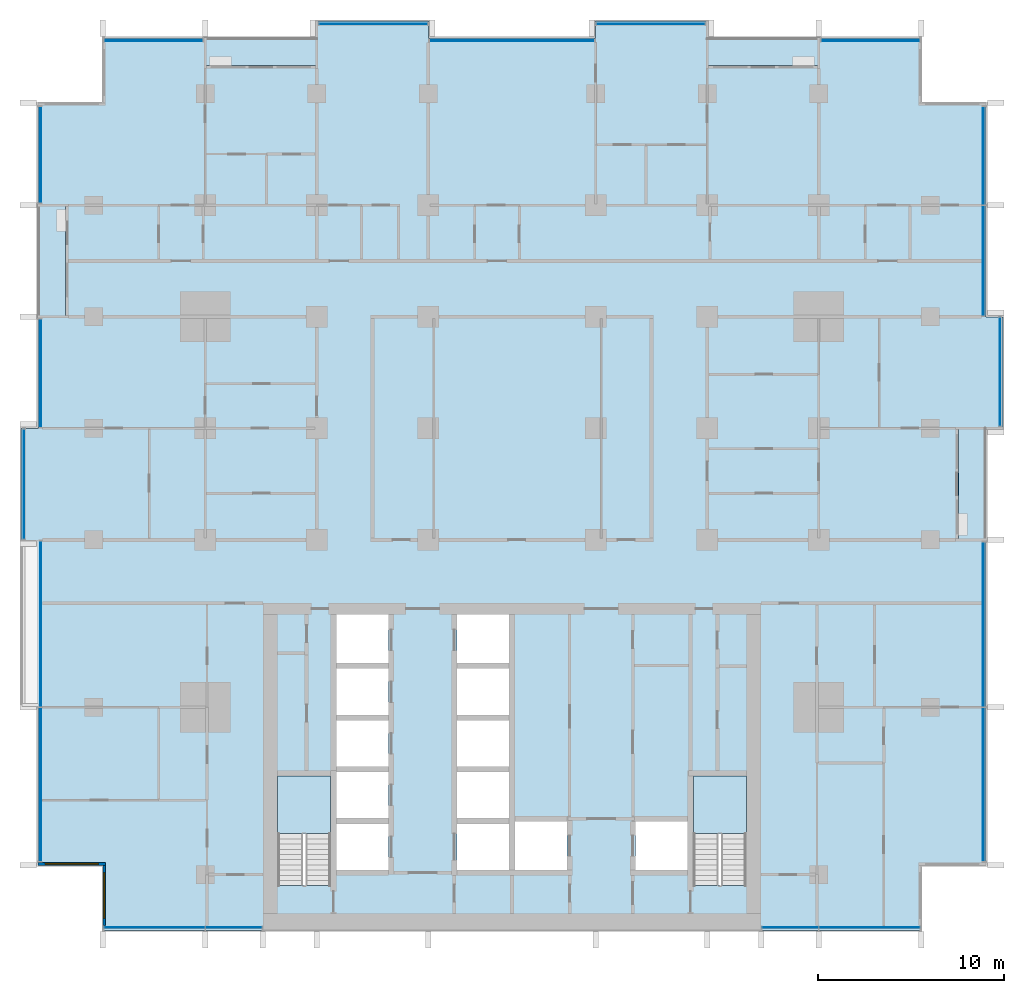
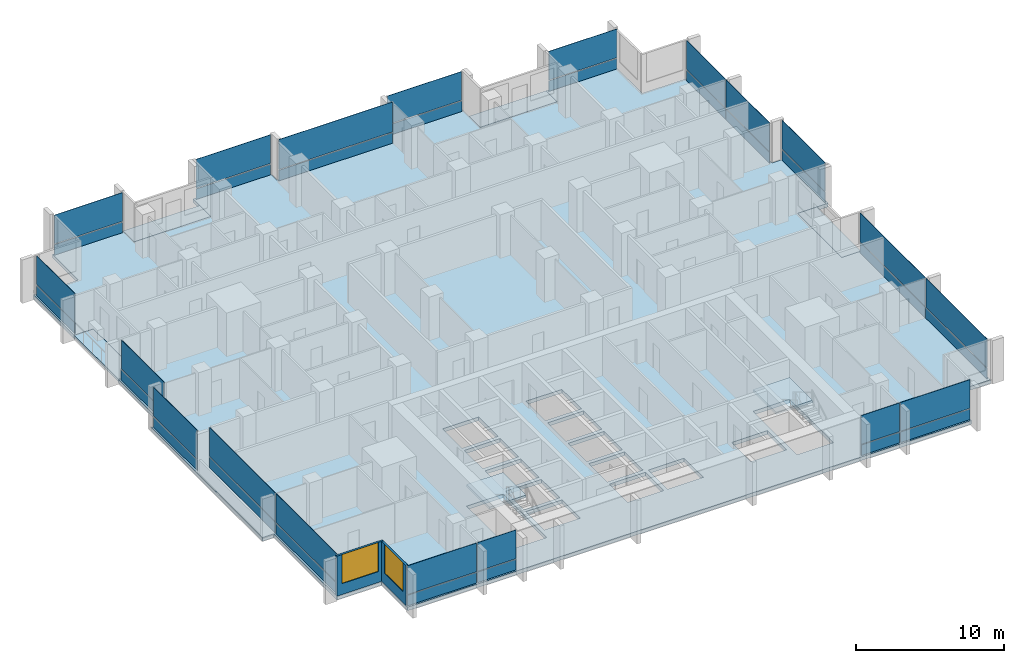
# One storey, part 6 of 18: 38 plates, 7 slabs, 2 walls, 2 windows, 2 openings, 16 elements without a shape of their own.
"""IFC4 building model written with IfcOpenShell, lengths in metres."""

from ifc_helpers import new_model, si_unit, direction, frame, frame_2d, origin, origin_2d, place, context, subcontext, project, spatial, polyline, rectangle, outline, extrude, material, layer, layer_set, type_object, element, fill, aggregate, save


model = new_model("IFC4")

# Units and contexts
model_context = context("Model", 3, precision=1e-05, world=origin(), true_north=direction((0.0, 1.0)))
body_context = subcontext(model_context, "Body", "Model", "MODEL_VIEW")
ifc_project = project(units=[si_unit("LENGTHUNIT", "METRE"), si_unit("AREAUNIT", "SQUARE_METRE"), si_unit("VOLUMEUNIT", "CUBIC_METRE"), si_unit("PLANEANGLEUNIT", "RADIAN"), si_unit("MASSUNIT", "GRAM", prefix="KILO")], contexts=[model_context])

# Site, building, storey
site_placement = place(None, origin())
site = spatial("IfcSite", under=ifc_project, at=site_placement, CompositionType="ELEMENT")
building_placement = place(site_placement, origin())
building = spatial("IfcBuilding", under=site, at=building_placement, Name="Finial Court Residences", CompositionType="ELEMENT")
storey_placement = place(building_placement, frame((0.0, 0.0, 84.699951171875)))
storey = spatial("IfcBuildingStorey", under=building, at=storey_placement, Name="L20", CompositionType="ELEMENT", Elevation=84.699951171875)

# Slabs
ifc_material_1 = material(Name="Concrete C35/45", Category="concrete")
ifc_layer_1 = layer(ifc_material_1, 0.199951171875)
ifc_layer_set_1 = layer_set([ifc_layer_1], Name="Balcony slab, Concrete C35/45 200")
slab_type_1 = type_object("IfcSlabType", Name="Balcony slab, Concrete C35/45 200", PredefinedType="FLOOR", material=ifc_layer_set_1)
slab_1_placement = place(storey_placement, frame((0.0, 0.0, -0.199951171875)))
element("IfcSlab", 1, at=slab_1_placement, inside=storey, type_object=slab_type_1, Name="Balcony L20-N2", PredefinedType="FLOOR", context=body_context, shape_type="SweptSolid", body=[
    extrude(outline(polyline([(-10.5, 21.0), (-10.5, 22.5), (-16.5, 22.5), (-16.5, 21.0), (-10.5, 21.0)])), origin(), (0.0, 0.0, 1.0), 0.199951171875),
])
slab_2_placement = place(storey_placement, frame((0.0, 0.0, -0.199951171875)))
element("IfcSlab", 2, at=slab_2_placement, inside=storey, type_object=slab_type_1, Name="Balcony L20-N6", PredefinedType="FLOOR", context=body_context, shape_type="SweptSolid", body=[
    extrude(outline(polyline([(16.5, 21.0), (16.5, 22.5), (10.5, 22.5), (10.5, 21.0), (16.5, 21.0)])), origin(), (0.0, 0.0, 1.0), 0.199951171875),
])
slab_3_placement = place(storey_placement, frame((0.0, 0.0, -0.199951171875)))
element("IfcSlab", 3, at=slab_3_placement, inside=storey, type_object=slab_type_1, Name="Balcony L20-E3", PredefinedType="FLOOR", context=body_context, shape_type="SweptSolid", body=[
    extrude(outline(polyline([(25.5, -4.5), (25.5, 1.5), (24.0, 1.5), (24.0, -4.5), (25.5, -4.5)])), origin(), (0.0, 0.0, 1.0), 0.199951171875),
])
slab_4_placement = place(storey_placement, frame((0.0, 0.0, -0.199951171875)))
element("IfcSlab", 4, at=slab_4_placement, inside=storey, type_object=slab_type_1, Name="Balcony L20-W5", PredefinedType="FLOOR", context=body_context, shape_type="SweptSolid", body=[
    extrude(outline(polyline([(-24.0, 7.5), (-24.0, 13.5), (-25.5, 13.5), (-25.5, 7.5), (-24.0, 7.5)])), origin(), (0.0, 0.0, 1.0), 0.199951171875),
])

# Curtain wall, plate
ifc_material_2 = material(Name="Bronze anodised aluminium", Category="aluminium")
curtain_wall_type = type_object("IfcCurtainWallType", Name="Unitised curtain wall, lower and middle zones", PredefinedType="NOTDEFINED", material=ifc_material_2)
curtain_wall_1_placement = place(storey_placement, origin())
curtain_wall_1 = element("IfcCurtainWall", 5, at=curtain_wall_1_placement, inside=storey, type_object=curtain_wall_type, Name="E-L20-CW-N1", PredefinedType="NOTDEFINED")
ifc_layer_2 = layer(ifc_material_2, 0.0400390625)
ifc_layer_set_2 = layer_set([ifc_layer_2], Name="CW1 spandrel panel 40")
plate_type_1 = type_object("IfcPlateType", Name="CW1 spandrel panel 40", PredefinedType="CURTAIN_PANEL", material=ifc_layer_set_2)
plate_1_placement = place(storey_placement, frame((-19.28759765625, 22.35009765625, 0.0), z_axis=(0.0, 0.0, 1.0), x_axis=(1.0, 0.0, 0.0)))
plate_1 = element("IfcPlate", 6, at=plate_1_placement, type_object=plate_type_1, Name="CW1 spandrel 1.1", PredefinedType="CURTAIN_PANEL", context=body_context, shape_type="SweptSolid", body=[
    extrude(rectangle(XDim=5.294921875, YDim=0.0400390625, at=origin_2d()), origin(), (0.0, 0.0, 1.0), 0.867431640625),
])

curtain_wall_2_placement = place(storey_placement, origin())
curtain_wall_2 = element("IfcCurtainWall", 7, at=curtain_wall_2_placement, inside=storey, type_object=curtain_wall_type, Name="E-L20-CW-N2", PredefinedType="NOTDEFINED")
plate_2_placement = place(storey_placement, frame((-7.46240234375, 23.25, 0.0), z_axis=(0.0, 0.0, 1.0), x_axis=(1.0, 0.0, 0.0)))
plate_2 = element("IfcPlate", 8, at=plate_2_placement, type_object=plate_type_1, Name="CW1 spandrel 1.1", PredefinedType="CURTAIN_PANEL", context=body_context, shape_type="SweptSolid", body=[
    extrude(rectangle(XDim=5.794921875, YDim=0.0400390625, at=origin_2d()), origin(), (0.0, 0.0, 1.0), 0.867431640625),
])

curtain_wall_3_placement = place(storey_placement, origin())
curtain_wall_3 = element("IfcCurtainWall", 9, at=curtain_wall_3_placement, inside=storey, type_object=curtain_wall_type, Name="E-L20-CW-N3", PredefinedType="NOTDEFINED")
plate_3_placement = place(storey_placement, frame((0.0, 22.35009765625, 0.0), z_axis=(0.0, 0.0, 1.0), x_axis=(1.0, 0.0, 0.0)))
plate_3 = element("IfcPlate", 10, at=plate_3_placement, type_object=plate_type_1, Name="CW1 spandrel 1.1", PredefinedType="CURTAIN_PANEL", context=body_context, shape_type="SweptSolid", body=[
    extrude(rectangle(XDim=8.8701171875, YDim=0.0400390625, at=origin_2d()), origin(), (0.0, 0.0, 1.0), 0.867431640625),
])

curtain_wall_4_placement = place(storey_placement, origin())
curtain_wall_4 = element("IfcCurtainWall", 11, at=curtain_wall_4_placement, inside=storey, type_object=curtain_wall_type, Name="E-L20-CW-N4", PredefinedType="NOTDEFINED")
plate_4_placement = place(storey_placement, frame((7.46240234375, 23.25, 0.0), z_axis=(0.0, 0.0, 1.0), x_axis=(1.0, 0.0, 0.0)))
plate_4 = element("IfcPlate", 12, at=plate_4_placement, type_object=plate_type_1, Name="CW1 spandrel 1.1", PredefinedType="CURTAIN_PANEL", context=body_context, shape_type="SweptSolid", body=[
    extrude(rectangle(XDim=5.794921875, YDim=0.0400390625, at=origin_2d()), origin(), (0.0, 0.0, 1.0), 0.867431640625),
])

curtain_wall_5_placement = place(storey_placement, origin())
curtain_wall_5 = element("IfcCurtainWall", 13, at=curtain_wall_5_placement, inside=storey, type_object=curtain_wall_type, Name="E-L20-CW-N5", PredefinedType="NOTDEFINED")
plate_5_placement = place(storey_placement, frame((19.28759765625, 22.35009765625, 0.0), z_axis=(0.0, 0.0, 1.0), x_axis=(1.0, 0.0, 0.0)))
plate_5 = element("IfcPlate", 14, at=plate_5_placement, type_object=plate_type_1, Name="CW1 spandrel 1.1", PredefinedType="CURTAIN_PANEL", context=body_context, shape_type="SweptSolid", body=[
    extrude(rectangle(XDim=5.294921875, YDim=0.0400390625, at=origin_2d()), origin(), (0.0, 0.0, 1.0), 0.867431640625),
])

# Curtain wall, plates
curtain_wall_6_placement = place(storey_placement, origin())
curtain_wall_6 = element("IfcCurtainWall", 15, at=curtain_wall_6_placement, inside=storey, type_object=curtain_wall_type, Name="E-L20-CW-E6", PredefinedType="NOTDEFINED")
plate_6_placement = place(storey_placement, frame((25.35009765625, -17.65869140625, 0.0), z_axis=(0.0, 0.0, 1.0), x_axis=(0.0, 1.0, 0.0)))
plate_6 = element("IfcPlate", 16, at=plate_6_placement, type_object=plate_type_1, Name="CW1 spandrel 1.1", PredefinedType="CURTAIN_PANEL", context=body_context, shape_type="SweptSolid", body=[
    extrude(rectangle(XDim=8.25244140625, YDim=0.0400390625, at=origin_2d()), origin(), (0.0, 0.0, 1.0), 0.867431640625),
])
plate_7_placement = place(storey_placement, frame((25.35009765625, -9.0537109375, 0.0), z_axis=(0.0, 0.0, 1.0), x_axis=(0.0, 1.0, 0.0)))
plate_7 = element("IfcPlate", 17, at=plate_7_placement, type_object=plate_type_1, Name="CW1 spandrel 2.1", PredefinedType="CURTAIN_PANEL", context=body_context, shape_type="SweptSolid", body=[
    extrude(rectangle(XDim=8.827392578125, YDim=0.0400390625, at=origin_2d()), origin(), (0.0, 0.0, 1.0), 0.867431640625),
])

# Curtain wall, plate
curtain_wall_7_placement = place(storey_placement, origin())
curtain_wall_7 = element("IfcCurtainWall", 18, at=curtain_wall_7_placement, inside=storey, type_object=curtain_wall_type, Name="E-L20-CW-E7", PredefinedType="NOTDEFINED")
plate_8_placement = place(storey_placement, frame((26.25, 4.53759765625, 0.0), z_axis=(0.0, 0.0, 1.0), x_axis=(0.0, 1.0, 0.0)))
plate_8 = element("IfcPlate", 19, at=plate_8_placement, type_object=plate_type_1, Name="CW1 spandrel 1.1", PredefinedType="CURTAIN_PANEL", context=body_context, shape_type="SweptSolid", body=[
    extrude(rectangle(XDim=5.794921875, YDim=0.0400390625, at=origin_2d()), origin(), (0.0, 0.0, 1.0), 0.867431640625),
])

# Curtain wall, plates
curtain_wall_8_placement = place(storey_placement, origin())
curtain_wall_8 = element("IfcCurtainWall", 20, at=curtain_wall_8_placement, inside=storey, type_object=curtain_wall_type, Name="E-L20-CW-E8", PredefinedType="NOTDEFINED")
plate_9_placement = place(storey_placement, frame((25.35009765625, 10.51611328125, 0.0), z_axis=(0.0, 0.0, 1.0), x_axis=(0.0, 1.0, 0.0)))
plate_9 = element("IfcPlate", 21, at=plate_9_placement, type_object=plate_type_1, Name="CW1 spandrel 1.1", PredefinedType="CURTAIN_PANEL", context=body_context, shape_type="SweptSolid", body=[
    extrude(rectangle(XDim=5.902587890625, YDim=0.0400390625, at=origin_2d()), origin(), (0.0, 0.0, 1.0), 0.867431640625),
])
plate_10_placement = place(storey_placement, frame((25.35009765625, 16.15869140625, 0.0), z_axis=(0.0, 0.0, 1.0), x_axis=(0.0, 1.0, 0.0)))
plate_10 = element("IfcPlate", 22, at=plate_10_placement, type_object=plate_type_1, Name="CW1 spandrel 2.1", PredefinedType="CURTAIN_PANEL", context=body_context, shape_type="SweptSolid", body=[
    extrude(rectangle(XDim=5.25244140625, YDim=0.0400390625, at=origin_2d()), origin(), (0.0, 0.0, 1.0), 0.867431640625),
])

curtain_wall_9_placement = place(storey_placement, origin())
curtain_wall_9 = element("IfcCurtainWall", 23, at=curtain_wall_9_placement, inside=storey, type_object=curtain_wall_type, Name="E-L20-CW-S9", PredefinedType="NOTDEFINED")
plate_11_placement = place(storey_placement, frame((-19.23388671875, -25.35009765625, 0.0), z_axis=(0.0, 0.0, 1.0), x_axis=(1.0, 0.0, 0.0)))
plate_11 = element("IfcPlate", 24, at=plate_11_placement, type_object=plate_type_1, Name="CW1 spandrel 1.1", PredefinedType="CURTAIN_PANEL", context=body_context, shape_type="SweptSolid", body=[
    extrude(rectangle(XDim=5.402587890625, YDim=0.0400390625, at=origin_2d()), origin(), (0.0, 0.0, 1.0), 0.867431640625),
])
plate_12_placement = place(storey_placement, frame((-14.96630859375, -25.35009765625, 0.0), z_axis=(0.0, 0.0, 1.0), x_axis=(1.0, 0.0, 0.0)))
plate_12 = element("IfcPlate", 25, at=plate_12_placement, type_object=plate_type_1, Name="CW1 spandrel 2.1", PredefinedType="CURTAIN_PANEL", context=body_context, shape_type="SweptSolid", body=[
    extrude(rectangle(XDim=3.00244140625, YDim=0.0400390625, at=origin_2d()), origin(), (0.0, 0.0, 1.0), 0.867431640625),
])

curtain_wall_10_placement = place(storey_placement, origin())
curtain_wall_10 = element("IfcCurtainWall", 26, at=curtain_wall_10_placement, inside=storey, type_object=curtain_wall_type, Name="E-L20-CW-S10", PredefinedType="NOTDEFINED")
plate_13_placement = place(storey_placement, frame((14.96630859375, -25.35009765625, 0.0), z_axis=(0.0, 0.0, 1.0), x_axis=(1.0, 0.0, 0.0)))
plate_13 = element("IfcPlate", 27, at=plate_13_placement, type_object=plate_type_1, Name="CW1 spandrel 1.1", PredefinedType="CURTAIN_PANEL", context=body_context, shape_type="SweptSolid", body=[
    extrude(rectangle(XDim=3.00244140625, YDim=0.0400390625, at=origin_2d()), origin(), (0.0, 0.0, 1.0), 0.867431640625),
])
plate_14_placement = place(storey_placement, frame((19.23388671875, -25.35009765625, 0.0), z_axis=(0.0, 0.0, 1.0), x_axis=(1.0, 0.0, 0.0)))
plate_14 = element("IfcPlate", 28, at=plate_14_placement, type_object=plate_type_1, Name="CW1 spandrel 2.1", PredefinedType="CURTAIN_PANEL", context=body_context, shape_type="SweptSolid", body=[
    extrude(rectangle(XDim=5.402587890625, YDim=0.0400390625, at=origin_2d()), origin(), (0.0, 0.0, 1.0), 0.867431640625),
])

curtain_wall_11_placement = place(storey_placement, origin())
curtain_wall_11 = element("IfcCurtainWall", 29, at=curtain_wall_11_placement, inside=storey, type_object=curtain_wall_type, Name="E-L20-CW-W11", PredefinedType="NOTDEFINED")
plate_15_placement = place(storey_placement, frame((-25.35009765625, -17.65869140625, 0.0), z_axis=(0.0, 0.0, 1.0), x_axis=(0.0, 1.0, 0.0)))
plate_15 = element("IfcPlate", 30, at=plate_15_placement, type_object=plate_type_1, Name="CW1 spandrel 1.1", PredefinedType="CURTAIN_PANEL", context=body_context, shape_type="SweptSolid", body=[
    extrude(rectangle(XDim=8.25244140625, YDim=0.0400390625, at=origin_2d()), origin(), (0.0, 0.0, 1.0), 0.867431640625),
])
plate_16_placement = place(storey_placement, frame((-25.35009765625, -9.01611328125, 0.0), z_axis=(0.0, 0.0, 1.0), x_axis=(0.0, 1.0, 0.0)))
plate_16 = element("IfcPlate", 31, at=plate_16_placement, type_object=plate_type_1, Name="CW1 spandrel 2.1", PredefinedType="CURTAIN_PANEL", context=body_context, shape_type="SweptSolid", body=[
    extrude(rectangle(XDim=8.902587890625, YDim=0.0400390625, at=origin_2d()), origin(), (0.0, 0.0, 1.0), 0.867431640625),
])

# Curtain wall, plate
curtain_wall_12_placement = place(storey_placement, origin())
curtain_wall_12 = element("IfcCurtainWall", 32, at=curtain_wall_12_placement, inside=storey, type_object=curtain_wall_type, Name="E-L20-CW-W12", PredefinedType="NOTDEFINED")
plate_17_placement = place(storey_placement, frame((-26.25, -1.5, 0.0), z_axis=(0.0, 0.0, 1.0), x_axis=(0.0, 1.0, 0.0)))
plate_17 = element("IfcPlate", 33, at=plate_17_placement, type_object=plate_type_1, Name="CW1 spandrel 1.1", PredefinedType="CURTAIN_PANEL", context=body_context, shape_type="SweptSolid", body=[
    extrude(rectangle(XDim=5.8701171875, YDim=0.0400390625, at=origin_2d()), origin(), (0.0, 0.0, 1.0), 0.867431640625),
])

curtain_wall_13_placement = place(storey_placement, origin())
curtain_wall_13 = element("IfcCurtainWall", 34, at=curtain_wall_13_placement, inside=storey, type_object=curtain_wall_type, Name="E-L20-CW-W13", PredefinedType="NOTDEFINED")
plate_18_placement = place(storey_placement, frame((-25.35009765625, 4.46240234375, 0.0), z_axis=(0.0, 0.0, 1.0), x_axis=(0.0, 1.0, 0.0)))
plate_18 = element("IfcPlate", 35, at=plate_18_placement, type_object=plate_type_1, Name="CW1 spandrel 1.1", PredefinedType="CURTAIN_PANEL", context=body_context, shape_type="SweptSolid", body=[
    extrude(rectangle(XDim=5.794921875, YDim=0.0400390625, at=origin_2d()), origin(), (0.0, 0.0, 1.0), 0.867431640625),
])

curtain_wall_14_placement = place(storey_placement, origin())
curtain_wall_14 = element("IfcCurtainWall", 36, at=curtain_wall_14_placement, inside=storey, type_object=curtain_wall_type, Name="E-L20-CW-W14", PredefinedType="NOTDEFINED")
plate_19_placement = place(storey_placement, frame((-25.35009765625, 16.21240234375, 0.0), z_axis=(0.0, 0.0, 1.0), x_axis=(0.0, 1.0, 0.0)))
plate_19 = element("IfcPlate", 37, at=plate_19_placement, type_object=plate_type_1, Name="CW1 spandrel 1.1", PredefinedType="CURTAIN_PANEL", context=body_context, shape_type="SweptSolid", body=[
    extrude(rectangle(XDim=5.14501953125, YDim=0.0400390625, at=origin_2d()), origin(), (0.0, 0.0, 1.0), 0.867431640625),
])

# Plate
ifc_material_3 = material(Name="Clear low-e glass", Category="glass")
ifc_layer_3 = layer(ifc_material_3, 0.031982421875)
ifc_layer_set_3 = layer_set([ifc_layer_3], Name="CW1 vision glass 32")
plate_type_2 = type_object("IfcPlateType", Name="CW1 vision glass 32", PredefinedType="CURTAIN_PANEL", material=ifc_layer_set_3)
plate_20_placement = place(storey_placement, frame((-19.28759765625, 22.35009765625, 0.9326171875), z_axis=(0.0, 0.0, 1.0), x_axis=(1.0, 0.0, 0.0)))
plate_20 = element("IfcPlate", 38, at=plate_20_placement, type_object=plate_type_2, Name="CW1 glass 1.2", PredefinedType="CURTAIN_PANEL", context=body_context, shape_type="SweptSolid", body=[
    extrude(rectangle(XDim=5.294921875, YDim=0.031982421875, at=origin_2d()), origin(), (0.0, 0.0, 1.0), 2.367431640625),
])

aggregate(curtain_wall_1, [plate_1, plate_20])

plate_21_placement = place(storey_placement, frame((-7.46240234375, 23.25, 0.9326171875), z_axis=(0.0, 0.0, 1.0), x_axis=(1.0, 0.0, 0.0)))
plate_21 = element("IfcPlate", 39, at=plate_21_placement, type_object=plate_type_2, Name="CW1 glass 1.2", PredefinedType="CURTAIN_PANEL", context=body_context, shape_type="SweptSolid", body=[
    extrude(rectangle(XDim=5.794921875, YDim=0.031982421875, at=origin_2d()), origin(), (0.0, 0.0, 1.0), 2.367431640625),
])

aggregate(curtain_wall_2, [plate_2, plate_21])

plate_22_placement = place(storey_placement, frame((0.0, 22.35009765625, 0.9326171875), z_axis=(0.0, 0.0, 1.0), x_axis=(1.0, 0.0, 0.0)))
plate_22 = element("IfcPlate", 40, at=plate_22_placement, type_object=plate_type_2, Name="CW1 glass 1.2", PredefinedType="CURTAIN_PANEL", context=body_context, shape_type="SweptSolid", body=[
    extrude(rectangle(XDim=8.8701171875, YDim=0.031982421875, at=origin_2d()), origin(), (0.0, 0.0, 1.0), 2.467529296875),
])

aggregate(curtain_wall_3, [plate_3, plate_22])

plate_23_placement = place(storey_placement, frame((7.46240234375, 23.25, 0.9326171875), z_axis=(0.0, 0.0, 1.0), x_axis=(1.0, 0.0, 0.0)))
plate_23 = element("IfcPlate", 41, at=plate_23_placement, type_object=plate_type_2, Name="CW1 glass 1.2", PredefinedType="CURTAIN_PANEL", context=body_context, shape_type="SweptSolid", body=[
    extrude(rectangle(XDim=5.794921875, YDim=0.031982421875, at=origin_2d()), origin(), (0.0, 0.0, 1.0), 2.367431640625),
])

aggregate(curtain_wall_4, [plate_4, plate_23])

plate_24_placement = place(storey_placement, frame((19.28759765625, 22.35009765625, 0.9326171875), z_axis=(0.0, 0.0, 1.0), x_axis=(1.0, 0.0, 0.0)))
plate_24 = element("IfcPlate", 42, at=plate_24_placement, type_object=plate_type_2, Name="CW1 glass 1.2", PredefinedType="CURTAIN_PANEL", context=body_context, shape_type="SweptSolid", body=[
    extrude(rectangle(XDim=5.294921875, YDim=0.031982421875, at=origin_2d()), origin(), (0.0, 0.0, 1.0), 2.367431640625),
])

aggregate(curtain_wall_5, [plate_5, plate_24])

plate_25_placement = place(storey_placement, frame((25.35009765625, -17.65869140625, 0.9326171875), z_axis=(0.0, 0.0, 1.0), x_axis=(0.0, 1.0, 0.0)))
plate_25 = element("IfcPlate", 43, at=plate_25_placement, type_object=plate_type_2, Name="CW1 glass 1.2", PredefinedType="CURTAIN_PANEL", context=body_context, shape_type="SweptSolid", body=[
    extrude(rectangle(XDim=8.25244140625, YDim=0.031982421875, at=origin_2d()), origin(), (0.0, 0.0, 1.0), 2.367431640625),
])

plate_26_placement = place(storey_placement, frame((25.35009765625, -9.0537109375, 0.9326171875), z_axis=(0.0, 0.0, 1.0), x_axis=(0.0, 1.0, 0.0)))
plate_26 = element("IfcPlate", 44, at=plate_26_placement, type_object=plate_type_2, Name="CW1 glass 2.2", PredefinedType="CURTAIN_PANEL", context=body_context, shape_type="SweptSolid", body=[
    extrude(rectangle(XDim=8.827392578125, YDim=0.031982421875, at=origin_2d()), origin(), (0.0, 0.0, 1.0), 2.367431640625),
])

aggregate(curtain_wall_6, [plate_6, plate_25, plate_7, plate_26])

plate_27_placement = place(storey_placement, frame((26.25, 4.53759765625, 0.9326171875), z_axis=(0.0, 0.0, 1.0), x_axis=(0.0, 1.0, 0.0)))
plate_27 = element("IfcPlate", 45, at=plate_27_placement, type_object=plate_type_2, Name="CW1 glass 1.2", PredefinedType="CURTAIN_PANEL", context=body_context, shape_type="SweptSolid", body=[
    extrude(rectangle(XDim=5.794921875, YDim=0.031982421875, at=origin_2d()), origin(), (0.0, 0.0, 1.0), 2.367431640625),
])

aggregate(curtain_wall_7, [plate_8, plate_27])

plate_28_placement = place(storey_placement, frame((25.35009765625, 10.51611328125, 0.9326171875), z_axis=(0.0, 0.0, 1.0), x_axis=(0.0, 1.0, 0.0)))
plate_28 = element("IfcPlate", 46, at=plate_28_placement, type_object=plate_type_2, Name="CW1 glass 1.2", PredefinedType="CURTAIN_PANEL", context=body_context, shape_type="SweptSolid", body=[
    extrude(rectangle(XDim=5.902587890625, YDim=0.031982421875, at=origin_2d()), origin(), (0.0, 0.0, 1.0), 2.367431640625),
])

plate_29_placement = place(storey_placement, frame((25.35009765625, 16.15869140625, 0.9326171875), z_axis=(0.0, 0.0, 1.0), x_axis=(0.0, 1.0, 0.0)))
plate_29 = element("IfcPlate", 47, at=plate_29_placement, type_object=plate_type_2, Name="CW1 glass 2.2", PredefinedType="CURTAIN_PANEL", context=body_context, shape_type="SweptSolid", body=[
    extrude(rectangle(XDim=5.25244140625, YDim=0.031982421875, at=origin_2d()), origin(), (0.0, 0.0, 1.0), 2.367431640625),
])

aggregate(curtain_wall_8, [plate_9, plate_28, plate_10, plate_29])

plate_30_placement = place(storey_placement, frame((-19.23388671875, -25.35009765625, 0.9326171875), z_axis=(0.0, 0.0, 1.0), x_axis=(1.0, 0.0, 0.0)))
plate_30 = element("IfcPlate", 48, at=plate_30_placement, type_object=plate_type_2, Name="CW1 glass 1.2", PredefinedType="CURTAIN_PANEL", context=body_context, shape_type="SweptSolid", body=[
    extrude(rectangle(XDim=5.402587890625, YDim=0.031982421875, at=origin_2d()), origin(), (0.0, 0.0, 1.0), 2.367431640625),
])

plate_31_placement = place(storey_placement, frame((-14.96630859375, -25.35009765625, 0.9326171875), z_axis=(0.0, 0.0, 1.0), x_axis=(1.0, 0.0, 0.0)))
plate_31 = element("IfcPlate", 49, at=plate_31_placement, type_object=plate_type_2, Name="CW1 glass 2.2", PredefinedType="CURTAIN_PANEL", context=body_context, shape_type="SweptSolid", body=[
    extrude(rectangle(XDim=3.00244140625, YDim=0.031982421875, at=origin_2d()), origin(), (0.0, 0.0, 1.0), 2.367431640625),
])

aggregate(curtain_wall_9, [plate_11, plate_30, plate_12, plate_31])

plate_32_placement = place(storey_placement, frame((14.96630859375, -25.35009765625, 0.9326171875), z_axis=(0.0, 0.0, 1.0), x_axis=(1.0, 0.0, 0.0)))
plate_32 = element("IfcPlate", 50, at=plate_32_placement, type_object=plate_type_2, Name="CW1 glass 1.2", PredefinedType="CURTAIN_PANEL", context=body_context, shape_type="SweptSolid", body=[
    extrude(rectangle(XDim=3.00244140625, YDim=0.031982421875, at=origin_2d()), origin(), (0.0, 0.0, 1.0), 2.367431640625),
])

plate_33_placement = place(storey_placement, frame((19.23388671875, -25.35009765625, 0.9326171875), z_axis=(0.0, 0.0, 1.0), x_axis=(1.0, 0.0, 0.0)))
plate_33 = element("IfcPlate", 51, at=plate_33_placement, type_object=plate_type_2, Name="CW1 glass 2.2", PredefinedType="CURTAIN_PANEL", context=body_context, shape_type="SweptSolid", body=[
    extrude(rectangle(XDim=5.402587890625, YDim=0.031982421875, at=origin_2d()), origin(), (0.0, 0.0, 1.0), 2.367431640625),
])

aggregate(curtain_wall_10, [plate_13, plate_32, plate_14, plate_33])

plate_34_placement = place(storey_placement, frame((-25.35009765625, -17.65869140625, 0.9326171875), z_axis=(0.0, 0.0, 1.0), x_axis=(0.0, 1.0, 0.0)))
plate_34 = element("IfcPlate", 52, at=plate_34_placement, type_object=plate_type_2, Name="CW1 glass 1.2", PredefinedType="CURTAIN_PANEL", context=body_context, shape_type="SweptSolid", body=[
    extrude(rectangle(XDim=8.25244140625, YDim=0.031982421875, at=origin_2d()), origin(), (0.0, 0.0, 1.0), 2.367431640625),
])

plate_35_placement = place(storey_placement, frame((-25.35009765625, -9.01611328125, 0.9326171875), z_axis=(0.0, 0.0, 1.0), x_axis=(0.0, 1.0, 0.0)))
plate_35 = element("IfcPlate", 53, at=plate_35_placement, type_object=plate_type_2, Name="CW1 glass 2.2", PredefinedType="CURTAIN_PANEL", context=body_context, shape_type="SweptSolid", body=[
    extrude(rectangle(XDim=8.902587890625, YDim=0.031982421875, at=origin_2d()), origin(), (0.0, 0.0, 1.0), 2.367431640625),
])

aggregate(curtain_wall_11, [plate_15, plate_34, plate_16, plate_35])

plate_36_placement = place(storey_placement, frame((-26.25, -1.5, 0.9326171875), z_axis=(0.0, 0.0, 1.0), x_axis=(0.0, 1.0, 0.0)))
plate_36 = element("IfcPlate", 54, at=plate_36_placement, type_object=plate_type_2, Name="CW1 glass 1.2", PredefinedType="CURTAIN_PANEL", context=body_context, shape_type="SweptSolid", body=[
    extrude(rectangle(XDim=5.8701171875, YDim=0.031982421875, at=origin_2d()), origin(), (0.0, 0.0, 1.0), 2.367431640625),
])

aggregate(curtain_wall_12, [plate_17, plate_36])

plate_37_placement = place(storey_placement, frame((-25.35009765625, 4.46240234375, 0.9326171875), z_axis=(0.0, 0.0, 1.0), x_axis=(0.0, 1.0, 0.0)))
plate_37 = element("IfcPlate", 55, at=plate_37_placement, type_object=plate_type_2, Name="CW1 glass 1.2", PredefinedType="CURTAIN_PANEL", context=body_context, shape_type="SweptSolid", body=[
    extrude(rectangle(XDim=5.794921875, YDim=0.031982421875, at=origin_2d()), origin(), (0.0, 0.0, 1.0), 2.367431640625),
])

aggregate(curtain_wall_13, [plate_18, plate_37])

plate_38_placement = place(storey_placement, frame((-25.35009765625, 16.21240234375, 0.9326171875), z_axis=(0.0, 0.0, 1.0), x_axis=(0.0, 1.0, 0.0)))
plate_38 = element("IfcPlate", 56, at=plate_38_placement, type_object=plate_type_2, Name="CW1 glass 1.2", PredefinedType="CURTAIN_PANEL", context=body_context, shape_type="SweptSolid", body=[
    extrude(rectangle(XDim=5.14501953125, YDim=0.031982421875, at=origin_2d()), origin(), (0.0, 0.0, 1.0), 2.367431640625),
])

aggregate(curtain_wall_14, [plate_19, plate_38])

# Stair, slab
ifc_material_4 = material(Name="Concrete C50/60", Category="concrete")
stair_type = type_object("IfcStairType", Name="Exit stair 22 risers of 163.6 mm", PredefinedType="HALF_TURN_STAIR", material=ifc_material_4)
stair_1_placement = place(storey_placement, origin())
stair_1 = element("IfcStair", 57, at=stair_1_placement, inside=storey, type_object=stair_type, Name="L20 Exit stair ST-1", PredefinedType="HALF_TURN_STAIR")
ifc_layer_4 = layer(ifc_material_4, 0.199951171875)
ifc_layer_set_4 = layer_set([ifc_layer_4], Name="Exit stair landing")
slab_type_2 = type_object("IfcSlabType", Name="Exit stair landing", PredefinedType="LANDING", material=ifc_layer_set_4)
slab_5_placement = place(storey_placement, frame((0.0, 0.0, 1.60009765625)))
slab_5 = element("IfcSlab", 58, at=slab_5_placement, type_object=slab_type_2, Name="ST-1 landing 1", PredefinedType="LANDING", context=body_context, shape_type="SweptSolid", body=[
    extrude(outline(polyline([(-9.75, -20.300048828125), (-9.75, -17.199951171875), (-12.60009765625, -17.199951171875), (-12.60009765625, -20.300048828125), (-9.75, -20.300048828125)])), origin(), (0.0, 0.0, 1.0), 0.199951171875),
])
aggregate(stair_1, [slab_5])

stair_2_placement = place(storey_placement, origin())
stair_2 = element("IfcStair", 59, at=stair_2_placement, inside=storey, type_object=stair_type, Name="L20 Exit stair ST-2", PredefinedType="HALF_TURN_STAIR")
slab_6_placement = place(storey_placement, frame((0.0, 0.0, 1.60009765625)))
slab_6 = element("IfcSlab", 60, at=slab_6_placement, type_object=slab_type_2, Name="ST-2 landing 1", PredefinedType="LANDING", context=body_context, shape_type="SweptSolid", body=[
    extrude(outline(polyline([(12.60009765625, -20.300048828125), (12.60009765625, -17.199951171875), (9.75, -17.199951171875), (9.75, -20.300048828125), (12.60009765625, -20.300048828125)])), origin(), (0.0, 0.0, 1.0), 0.199951171875),
])
aggregate(stair_2, [slab_6])

# Slab
ifc_material_5 = material(Name="Concrete C40/50", Category="concrete")
ifc_layer_5 = layer(ifc_material_5, 0.300048828125)
ifc_layer_set_5 = layer_set([ifc_layer_5], Name="Flat plate slab 300 Concrete C40/50")
slab_type_3 = type_object("IfcSlabType", Name="Flat plate slab 300 Concrete C40/50", PredefinedType="FLOOR", material=ifc_layer_set_5)
slab_7_placement = place(storey_placement, frame((0.0, 0.0, -0.300048828125)))
element("IfcSlab", 61, at=slab_7_placement, inside=storey, type_object=slab_type_3, Name="S:SLAB:L20", PredefinedType="FLOOR", context=body_context, shape_type="SweptSolid", body=[
    extrude(outline(polyline([(-26.39990234375, -13.5), (-26.39990234375, -4.5), (-26.39990234375, 1.5), (-25.5, 1.5), (-25.5, 7.5), (-24.0, 7.5), (-24.0, 13.5), (-25.5, 13.5), (-25.5, 19.0), (-22.0, 19.0), (-22.0, 22.5), (-16.5, 22.5), (-16.5, 21.0), (-10.5, 21.0), (-10.5, 22.5), (-10.5, 23.39990234375), (-4.5, 23.39990234375), (-4.5, 22.5), (4.5, 22.5), (4.5, 23.39990234375), (10.5, 23.39990234375), (10.5, 22.5), (10.5, 21.0), (16.5, 21.0), (16.5, 22.5), (22.0, 22.5), (22.0, 19.0), (25.5, 19.0), (25.5, 7.5), (26.39990234375, 7.5), (26.39990234375, 1.5), (25.5, 1.5), (24.0, 1.5), (24.0, -4.5), (25.5, -4.5), (25.5, -22.0), (22.0, -22.0), (22.0, -25.5), (-22.0, -25.5), (-22.0, -22.0), (-25.5, -22.0), (-25.5, -13.5), (-26.39990234375, -13.5)]), holes=[polyline([(-6.64990234375, -19.77001953125), (-9.449951171875, -19.77001953125), (-9.449951171875, -22.25), (-6.64990234375, -22.25), (-6.64990234375, -19.77001953125)]), polyline([(-9.75, -17.199951171875), (-12.60009765625, -17.199951171875), (-12.60009765625, -23.09912109375), (-9.75, -23.09912109375), (-9.75, -17.199951171875)]), polyline([(-6.64990234375, -19.469970703125), (-6.64990234375, -16.989990234375), (-9.449951171875, -16.989990234375), (-9.449951171875, -19.469970703125), (-6.64990234375, -19.469970703125)]), polyline([(-6.64990234375, -16.68994140625), (-6.64990234375, -14.2099609375), (-9.449951171875, -14.2099609375), (-9.449951171875, -16.68994140625), (-6.64990234375, -16.68994140625)]), polyline([(-6.64990234375, -13.909912109375), (-6.64990234375, -11.429931640625), (-9.449951171875, -11.429931640625), (-9.449951171875, -13.909912109375), (-6.64990234375, -13.909912109375)]), polyline([(-6.64990234375, -11.1298828125), (-6.64990234375, -8.5), (-9.449951171875, -8.5), (-9.449951171875, -11.1298828125), (-6.64990234375, -11.1298828125)]), polyline([(-0.14990234375, -11.1298828125), (-0.14990234375, -8.5), (-2.949951171875, -8.5), (-2.949951171875, -11.1298828125), (-0.14990234375, -11.1298828125)]), polyline([(-0.14990234375, -19.77001953125), (-2.949951171875, -19.77001953125), (-2.949951171875, -22.25), (-0.14990234375, -22.25), (-0.14990234375, -19.77001953125)]), polyline([(2.949951171875, -22.25), (2.949951171875, -19.64990234375), (0.14990234375, -19.64990234375), (0.14990234375, -22.25), (2.949951171875, -22.25)]), polyline([(9.449951171875, -22.25), (9.449951171875, -19.64990234375), (6.64990234375, -19.64990234375), (6.64990234375, -22.25), (9.449951171875, -22.25)]), polyline([(12.60009765625, -17.199951171875), (9.75, -17.199951171875), (9.75, -23.09912109375), (12.60009765625, -23.09912109375), (12.60009765625, -17.199951171875)]), polyline([(-0.14990234375, -19.469970703125), (-0.14990234375, -16.989990234375), (-2.949951171875, -16.989990234375), (-2.949951171875, -19.469970703125), (-0.14990234375, -19.469970703125)]), polyline([(-0.14990234375, -16.68994140625), (-0.14990234375, -14.2099609375), (-2.949951171875, -14.2099609375), (-2.949951171875, -16.68994140625), (-0.14990234375, -16.68994140625)]), polyline([(-0.14990234375, -13.909912109375), (-0.14990234375, -11.429931640625), (-2.949951171875, -11.429931640625), (-2.949951171875, -13.909912109375), (-0.14990234375, -13.909912109375)])]), origin(), (0.0, 0.0, 1.0), 0.300048828125),
])

# Wall, opening, window
ifc_material_6 = material(Name="Natural limestone", Category="masonry")
ifc_layer_6 = layer(ifc_material_6, 0.14990234375)
ifc_layer_set_6 = layer_set([ifc_layer_6], Name="Limestone clad wall 150")
wall_type = type_object("IfcWallType", Name="Limestone clad wall 150", PredefinedType="SOLIDWALL", material=ifc_layer_set_6)
wall_1_placement = place(storey_placement, frame((-21.925048828125, -25.25, 0.0), z_axis=(0.0, 0.0, 1.0), x_axis=(0.0, 1.0, 0.0)))
wall_1 = element("IfcWall", 62, at=wall_1_placement, inside=storey, type_object=wall_type, Name="E-L20-NWW15", PredefinedType="SOLIDWALL", context=body_context, shape_type="SweptSolid", body=[
    extrude(rectangle(XDim=3.25, YDim=0.14990234375, at=frame_2d((1.625, 0.0))), origin(), (0.0, 0.0, 1.0), 3.300048828125),
])
opening_1_placement = place(wall_1_placement, frame((0.39990234375, 0.0, 0.89990234375)))
opening_1 = element("IfcOpeningElement", 63, at=opening_1_placement, cuts=wall_1, Name="Opening WE20-01", PredefinedType="OPENING", context=body_context, shape_type="SweptSolid", body=[
    extrude(rectangle(XDim=2.449951171875, YDim=2.39990234375, at=frame_2d((1.22509765625, 1.199951171875))), frame((0.0, 0.0849609375, 0.0), z_axis=(0.0, -1.0, 0.0), x_axis=(1.0, 0.0, 0.0)), (0.0, 0.0, 1.0), 0.169921875),
])
window_type_1 = type_object("IfcWindowType", Name="Corner window 2450 x 2400", PartitioningType="SINGLE_PANEL", PredefinedType="WINDOW", material=ifc_material_3)
window_1_placement = place(opening_1_placement, origin())
window_1 = element("IfcWindow", 64, at=window_1_placement, inside=storey, type_object=window_type_1, Name="E-L20-NWW15-W1", OverallHeight=2.39990234375, OverallWidth=2.449951171875, PartitioningType="SINGLE_PANEL", PredefinedType="WINDOW", context=body_context, shape_type="SweptSolid", body=[
    extrude(rectangle(XDim=2.449951171875, YDim=2.39990234375, at=frame_2d((1.22509765625, 1.199951171875))), frame((0.0, 0.030029296875, 0.0), z_axis=(0.0, -1.0, 0.0), x_axis=(1.0, 0.0, 0.0)), (0.0, 0.0, 1.0), 0.06005859375),
])
fill(opening_1, window_1)

wall_2_placement = place(storey_placement, frame((-21.85009765625, -21.925048828125, 0.0), z_axis=(0.0, 0.0, 1.0), x_axis=(-1.0, 0.0, 0.0)))
wall_2 = element("IfcWall", 65, at=wall_2_placement, inside=storey, type_object=wall_type, Name="E-L20-NWS16", PredefinedType="SOLIDWALL", context=body_context, shape_type="SweptSolid", body=[
    extrude(rectangle(XDim=3.64990234375, YDim=0.14990234375, at=frame_2d((1.824951171875, 0.0))), origin(), (0.0, 0.0, 1.0), 3.300048828125),
])
opening_2_placement = place(wall_2_placement, frame((0.39990234375, 0.0, 0.89990234375)))
opening_2 = element("IfcOpeningElement", 66, at=opening_2_placement, cuts=wall_2, Name="Opening WE20-02", PredefinedType="OPENING", context=body_context, shape_type="SweptSolid", body=[
    extrude(rectangle(XDim=2.85009765625, YDim=2.39990234375, at=frame_2d((1.425048828125, 1.199951171875))), frame((0.0, 0.0849609375, 0.0), z_axis=(0.0, -1.0, 0.0), x_axis=(1.0, 0.0, 0.0)), (0.0, 0.0, 1.0), 0.169921875),
])
window_type_2 = type_object("IfcWindowType", Name="Corner window 2850 x 2400", PartitioningType="SINGLE_PANEL", PredefinedType="WINDOW", material=ifc_material_3)
window_2_placement = place(opening_2_placement, origin())
window_2 = element("IfcWindow", 67, at=window_2_placement, inside=storey, type_object=window_type_2, Name="E-L20-NWS16-W1", OverallHeight=2.39990234375, OverallWidth=2.85009765625, PartitioningType="SINGLE_PANEL", PredefinedType="WINDOW", context=body_context, shape_type="SweptSolid", body=[
    extrude(rectangle(XDim=2.85009765625, YDim=2.39990234375, at=frame_2d((1.425048828125, 1.199951171875))), frame((0.0, 0.030029296875, 0.0), z_axis=(0.0, -1.0, 0.0), x_axis=(1.0, 0.0, 0.0)), (0.0, 0.0, 1.0), 0.06005859375),
])
fill(opening_2, window_2)

save(model, "model.ifc")
